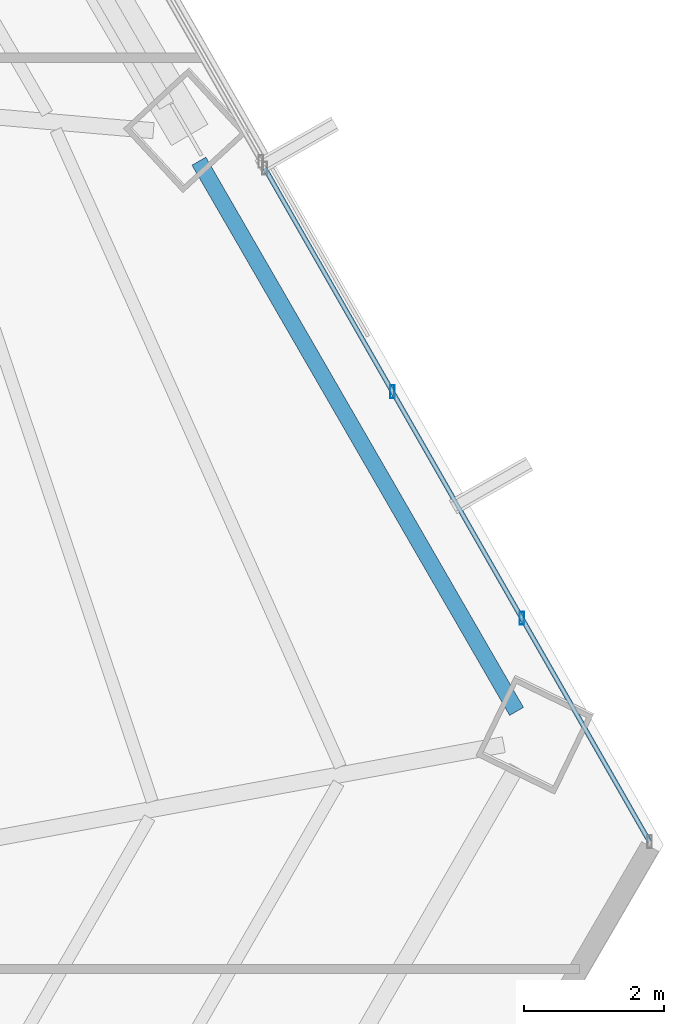
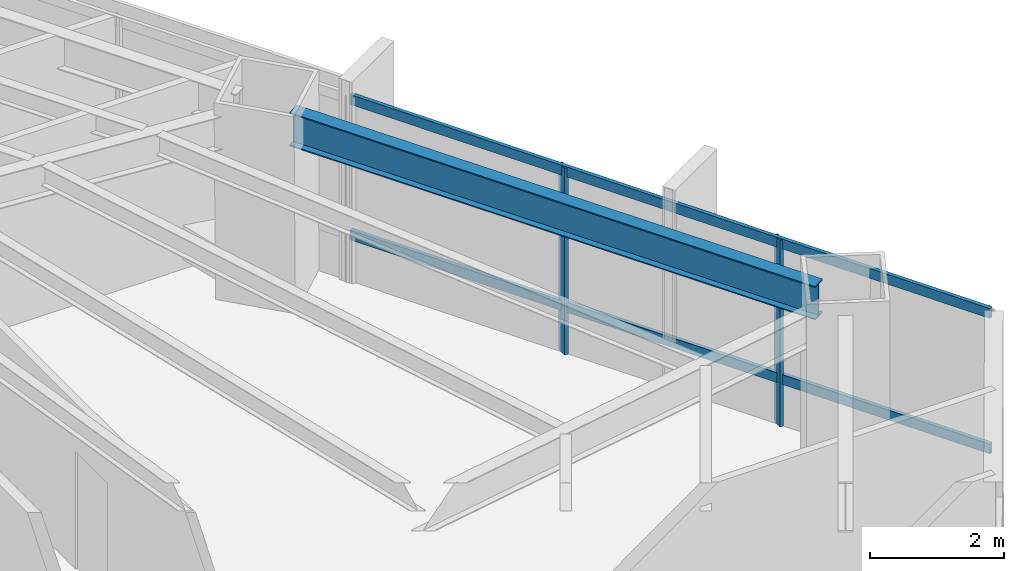
# One storey, part 22 of 34: 4 members, 1 beam, 1 element without a shape of its own.
"""IFC4 building model written with IfcOpenShell, lengths in metres."""

from ifc_helpers import new_model, si_unit, direction, frame, origin, origin_2d, place, context, subcontext, project, spatial, hollow_rectangle, i_section, extrude, source, transform, mapped, material, material_profile, profile_set, type_object, type_shapes, element, aggregate, save


model = new_model("IFC4")

# Units and contexts
model_context = context("Model", 3, precision=1e-05, world=origin(), true_north=direction((0.0, 1.0)))
body_context = subcontext(model_context, "Body", "Model", "MODEL_VIEW")
ifc_project = project(units=[si_unit("LENGTHUNIT", "METRE"), si_unit("AREAUNIT", "SQUARE_METRE"), si_unit("VOLUMEUNIT", "CUBIC_METRE"), si_unit("PLANEANGLEUNIT", "RADIAN"), si_unit("MASSUNIT", "GRAM", prefix="KILO")], contexts=[model_context])

# Site, building, storey
site_placement = place(None, origin())
site = spatial("IfcSite", under=ifc_project, at=site_placement, CompositionType="ELEMENT")
building_placement = place(site_placement, origin())
building = spatial("IfcBuilding", under=site, at=building_placement, Name="Caelisora Broadcast Tower", CompositionType="ELEMENT")
storey_placement = place(building_placement, frame((0.0, 0.0, 49.5)))
storey = spatial("IfcBuildingStorey", under=building, at=storey_placement, Name="L12", CompositionType="ELEMENT", Elevation=49.5)

# Beam
ifc_material_1 = material(Name="Steel Grade 350 (AS/NZS 3679.1)", Category="steel")
ifc_material_profile_1 = material_profile(ifc_material_1, i_section(OverallWidth=0.22900390625, OverallDepth=0.611572265625, WebThickness=0.011962890625, FlangeThickness=0.01953125, at=origin_2d()), Name="Steel Grade 350 (AS/NZS 3679.1)")
ifc_profile_set_1 = profile_set([ifc_material_profile_1], Name="Steel Grade 350 (AS/NZS 3679.1)")
beam_type = type_object("IfcBeamType", Name="PG03", PredefinedType="BEAM", material=ifc_profile_set_1)
shared_shape_1 = source(origin(), body_context, "Body", "SweptSolid", [
    extrude(i_section(OverallWidth=0.22900390625, OverallDepth=0.611572265625, WebThickness=0.011962890625, FlangeThickness=0.01953125, at=origin_2d()), origin(), (0.0, 0.0, 1.0), 9.064208984375),
])
type_shapes(beam_type, [shared_shape_1])
beam_placement = place(storey_placement, frame((61.447509765625, 20.775390625, 3.09423828125), z_axis=(-0.499989026653, 0.866031739157, 0.0), x_axis=(-0.866031739157, -0.499989026653, 0.0)))
element("IfcBeam", 1, at=beam_placement, inside=storey, type_object=beam_type, Name="L12 beam PG03", PredefinedType="BEAM", context=body_context, shape_type="MappedRepresentation", body=[
    mapped(shared_shape_1, transform((0.0, 0.0, 0.0), scale=1.0)),
])

# Curtain wall, members
ifc_material_2 = material(Name="Unitised Aluminium and Low-E Glass Curtain Wall", Category="glass")
curtain_wall_type = type_object("IfcCurtainWallType", Name="CW-Z1", PredefinedType="NOTDEFINED", material=ifc_material_2)
curtain_wall_placement = place(storey_placement, origin())
curtain_wall = element("IfcCurtainWall", 2, at=curtain_wall_placement, inside=storey, type_object=curtain_wall_type, Name="L12 curtain wall CW-Z1", PredefinedType="NOTDEFINED")
ifc_material_3 = material(Name="Aluminium 6063-T6 Anodised Terracotta Bronze", Category="aluminium")
ifc_material_profile_2 = material_profile(ifc_material_3, hollow_rectangle(XDim=0.06494140625, YDim=0.179931640625, WallThickness=0.00341796875, at=origin_2d()), Name="Aluminium 6063-T6 Anodised Terracotta Bronze")
ifc_profile_set_2 = profile_set([ifc_material_profile_2], Name="Aluminium 6063-T6 Anodised Terracotta Bronze")
member_type_1 = type_object("IfcMemberType", Name="CWM-02", PredefinedType="MULLION", material=ifc_profile_set_2)
shared_shape_2 = source(origin(), body_context, "Body", "SweptSolid", [
    extrude(hollow_rectangle(XDim=0.06494140625, YDim=0.179931640625, WallThickness=0.00341796875, at=origin_2d()), origin(), (0.0, 0.0, 1.0), 3.39990234375),
])
type_shapes(member_type_1, [shared_shape_2])
member_1_placement = place(storey_placement, frame((59.676513671875, 25.33642578125, 0.0), z_axis=(0.0, 0.0, 1.0), x_axis=(1.0, 0.0, 0.0)))
member_1 = element("IfcMember", 3, at=member_1_placement, type_object=member_type_1, Name="L12-CW-B03 mullion #1", PredefinedType="MULLION", context=body_context, shape_type="MappedRepresentation", body=[
    mapped(shared_shape_2, transform((0.0, 0.0, 0.0), scale=1.0)),
])
member_2_placement = place(storey_placement, frame((61.522705078125, 22.104736328125, 0.0), z_axis=(0.0, 0.0, 1.0), x_axis=(1.0, 0.0, 0.0)))
member_2 = element("IfcMember", 4, at=member_2_placement, type_object=member_type_1, Name="L12-CW-B03 mullion #2", PredefinedType="MULLION", context=body_context, shape_type="MappedRepresentation", body=[
    mapped(shared_shape_2, transform((0.0, 0.0, 0.0), scale=1.0)),
])
ifc_material_profile_3 = material_profile(ifc_material_3, hollow_rectangle(XDim=0.06494140625, YDim=0.179931640625, WallThickness=0.00341796875, at=origin_2d()), Name="Aluminium 6063-T6 Anodised Terracotta Bronze")
ifc_profile_set_3 = profile_set([ifc_material_profile_3], Name="Aluminium 6063-T6 Anodised Terracotta Bronze")
member_type_2 = type_object("IfcMemberType", Name="CWT-01", PredefinedType="USERDEFINED", material=ifc_profile_set_3)
shared_shape_3 = source(origin(), body_context, "Body", "SweptSolid", [
    extrude(hollow_rectangle(XDim=0.06494140625, YDim=0.179931640625, WallThickness=0.00341796875, at=origin_2d()), origin(), (0.0, 0.0, 1.0), 11.065673828125),
])
type_shapes(member_type_2, [shared_shape_3])
member_3_placement = place(storey_placement, frame((57.85498046875, 28.524658203125, 0.85009765625), z_axis=(0.496062904206, -0.868286585795, 0.0), x_axis=(0.868286585795, 0.496062904206, 0.0)))
member_3 = element("IfcMember", 5, at=member_3_placement, type_object=member_type_2, Name="L12-CW-B03 transom #1", ObjectType="TRANSOM", PredefinedType="USERDEFINED", context=body_context, shape_type="MappedRepresentation", body=[
    mapped(shared_shape_3, transform((0.0, 0.0, 0.0), scale=1.0)),
])
member_4_placement = place(storey_placement, frame((57.85498046875, 28.524658203125, 3.320068359375), z_axis=(0.496062904206, -0.868286585795, 0.0), x_axis=(0.868286585795, 0.496062904206, 0.0)))
member_4 = element("IfcMember", 6, at=member_4_placement, type_object=member_type_2, Name="L12-CW-B03 transom #2", ObjectType="TRANSOM", PredefinedType="USERDEFINED", context=body_context, shape_type="MappedRepresentation", body=[
    mapped(shared_shape_3, transform((0.0, 0.0, 0.0), scale=1.0)),
])
aggregate(curtain_wall, [member_1, member_2, member_3, member_4])

save(model, "model.ifc")
